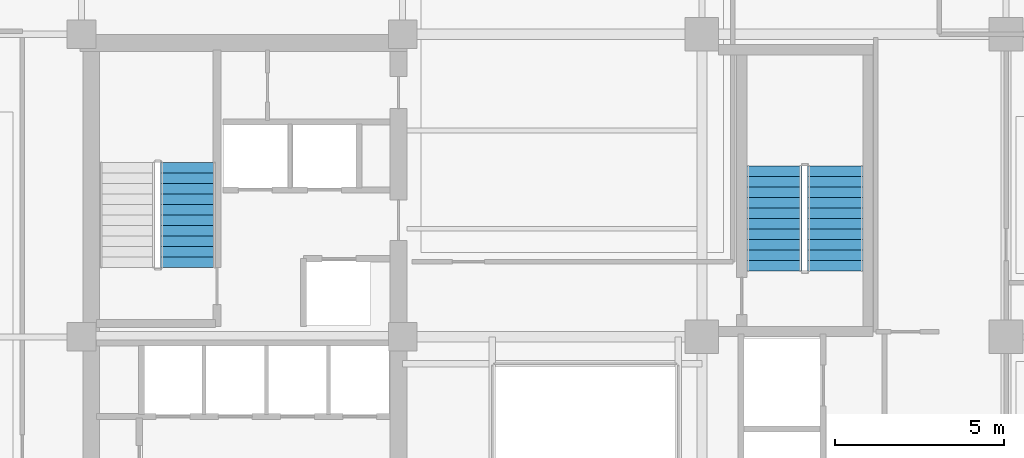
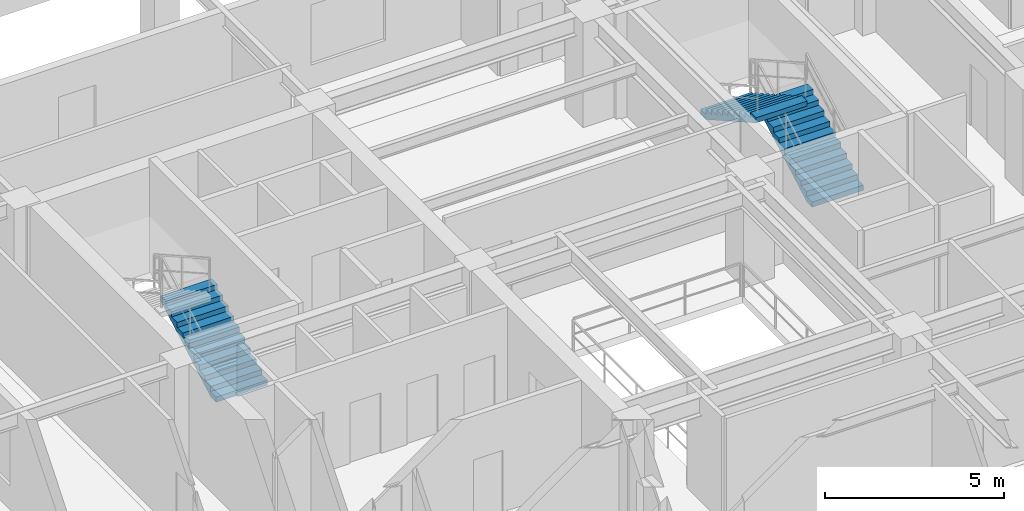
# One storey, part 7 of 11: 3 stair flights, 2 elements without a shape of their own.
"""IFC4 building model written with IfcOpenShell, lengths in metres."""

from ifc_helpers import new_model, si_unit, direction, frame, origin, place, context, subcontext, project, spatial, polyline, outline, extrude, material, type_object, element, aggregate, save


model = new_model("IFC4")

# Units and contexts
model_context = context("Model", 3, precision=1e-05, world=origin(), true_north=direction((0.0, 1.0)))
body_context = subcontext(model_context, "Body", "Model", "MODEL_VIEW")
ifc_project = project(units=[si_unit("LENGTHUNIT", "METRE"), si_unit("AREAUNIT", "SQUARE_METRE"), si_unit("VOLUMEUNIT", "CUBIC_METRE"), si_unit("PLANEANGLEUNIT", "RADIAN"), si_unit("MASSUNIT", "GRAM", prefix="KILO")], contexts=[model_context])

# Site, building, storey
site_placement = place(None, origin())
site = spatial("IfcSite", under=ifc_project, at=site_placement, CompositionType="ELEMENT")
building_placement = place(site_placement, origin())
building = spatial("IfcBuilding", under=site, at=building_placement, Name="Kundavana Baori Tower", CompositionType="ELEMENT")
storey_placement = place(building_placement, frame((0.0, 0.0, 123.25)))
storey = spatial("IfcBuildingStorey", under=building, at=storey_placement, Name="L29", CompositionType="ELEMENT", Elevation=123.25)

# Stair, stair flight
ifc_material_1 = material(Name="Concrete C40/50", Category="concrete")
stair_type = type_object("IfcStairType", Name="STR-DOG-1650", PredefinedType="HALF_TURN_STAIR", material=ifc_material_1)
stair_1_placement = place(storey_placement, origin())
stair_1 = element("IfcStair", 1, at=stair_1_placement, inside=storey, type_object=stair_type, Name="L29 Protected Exit Stair ST2", PredefinedType="HALF_TURN_STAIR")
ifc_material_2 = material(Name="Concrete C40/50", Category="concrete")
stair_flight_type = type_object("IfcStairFlightType", Name="SFL-RC-1650", PredefinedType="STRAIGHT", material=ifc_material_2)
stair_flight_1_placement = place(storey_placement, frame((18.614990234375, 35.050048828125, 0.0), z_axis=(0.0, 0.0, 1.0), x_axis=(0.0, 1.0, 0.0)))
stair_flight_1 = element("IfcStairFlight", 2, at=stair_flight_1_placement, type_object=stair_flight_type, Name="ST2 flight 1", NumberOfRisers=11, NumberOfTreads=10, PredefinedType="STRAIGHT", RiserHeight=0.175, TreadLength=0.31, context=body_context, shape_type="SweptSolid", body=[
    extrude(outline(polyline([(0.0, 0.0), (0.0, 0.175048828125), (0.31005859375, 0.175048828125), (0.31005859375, 0.35009765625), (0.6201171875, 0.35009765625), (0.6201171875, 0.52490234375), (0.929931640625, 0.52490234375), (0.929931640625, 0.699951171875), (1.239990234375, 0.699951171875), (1.239990234375, 0.875), (1.550048828125, 0.875), (1.550048828125, 1.050048828125), (1.860107421875, 1.050048828125), (1.860107421875, 1.22509765625), (2.169921875, 1.22509765625), (2.169921875, 1.39990234375), (2.47998046875, 1.39990234375), (2.47998046875, 1.574951171875), (2.7900390625, 1.574951171875), (2.7900390625, 1.75), (3.10009765625, 1.75), (3.10009765625, 1.925048828125), (3.10009765625, 1.577880859375), (0.304931640625, 0.0), (0.0, 0.0)])), frame((0.0, 0.824951171875, 0.0), z_axis=(0.0, -1.0, 0.0), x_axis=(1.0, 0.0, 0.0)), (0.0, 0.0, 1.0), 1.64990234375),
])
aggregate(stair_1, [stair_flight_1])

# Stair, stair flights
stair_2_placement = place(storey_placement, origin())
stair_2 = element("IfcStair", 3, at=stair_2_placement, inside=storey, type_object=stair_type, Name="L29 Protected Exit Stair ST3", PredefinedType="HALF_TURN_STAIR")
stair_flight_2_placement = place(storey_placement, frame((37.7548828125, 34.949951171875, 0.0), z_axis=(0.0, 0.0, 1.0), x_axis=(0.0, 1.0, 0.0)))
stair_flight_2 = element("IfcStairFlight", 4, at=stair_flight_2_placement, type_object=stair_flight_type, Name="ST3 flight 1", NumberOfRisers=11, NumberOfTreads=10, PredefinedType="STRAIGHT", RiserHeight=0.175, TreadLength=0.31, context=body_context, shape_type="SweptSolid", body=[
    extrude(outline(polyline([(0.0, 0.0), (0.0, 0.175048828125), (0.31005859375, 0.175048828125), (0.31005859375, 0.35009765625), (0.6201171875, 0.35009765625), (0.6201171875, 0.52490234375), (0.929931640625, 0.52490234375), (0.929931640625, 0.699951171875), (1.239990234375, 0.699951171875), (1.239990234375, 0.875), (1.550048828125, 0.875), (1.550048828125, 1.050048828125), (1.860107421875, 1.050048828125), (1.860107421875, 1.22509765625), (2.169921875, 1.22509765625), (2.169921875, 1.39990234375), (2.47998046875, 1.39990234375), (2.47998046875, 1.574951171875), (2.7900390625, 1.574951171875), (2.7900390625, 1.75), (3.10009765625, 1.75), (3.10009765625, 1.925048828125), (3.10009765625, 1.577880859375), (0.304931640625, 0.0), (0.0, 0.0)])), frame((0.0, 0.824951171875, 0.0), z_axis=(0.0, -1.0, 0.0), x_axis=(1.0, 0.0, 0.0)), (0.0, 0.0, 1.0), 1.64990234375),
])
stair_flight_3_placement = place(storey_placement, frame((35.945068359375, 38.050048828125, 1.925048828125), z_axis=(0.0, 0.0, 1.0), x_axis=(0.0, -1.0, 0.0)))
stair_flight_3 = element("IfcStairFlight", 5, at=stair_flight_3_placement, type_object=stair_flight_type, Name="ST3 flight 2", NumberOfRisers=11, NumberOfTreads=10, PredefinedType="STRAIGHT", RiserHeight=0.175, TreadLength=0.31, context=body_context, shape_type="SweptSolid", body=[
    extrude(outline(polyline([(0.0, 0.0), (0.0, 0.175048828125), (0.31005859375, 0.175048828125), (0.31005859375, 0.35009765625), (0.6201171875, 0.35009765625), (0.6201171875, 0.52490234375), (0.929931640625, 0.52490234375), (0.929931640625, 0.699951171875), (1.239990234375, 0.699951171875), (1.239990234375, 0.875), (1.550048828125, 0.875), (1.550048828125, 1.050048828125), (1.860107421875, 1.050048828125), (1.860107421875, 1.22509765625), (2.169921875, 1.22509765625), (2.169921875, 1.39990234375), (2.47998046875, 1.39990234375), (2.47998046875, 1.574951171875), (2.7900390625, 1.574951171875), (2.7900390625, 1.75), (3.10009765625, 1.75), (3.10009765625, 1.925048828125), (3.10009765625, 1.577880859375), (0.304931640625, 0.0), (0.0, 0.0)])), frame((0.0, 0.824951171875, 0.0), z_axis=(0.0, -1.0, 0.0), x_axis=(1.0, 0.0, 0.0)), (0.0, 0.0, 1.0), 1.64990234375),
])
aggregate(stair_2, [stair_flight_2, stair_flight_3])

save(model, "model.ifc")
